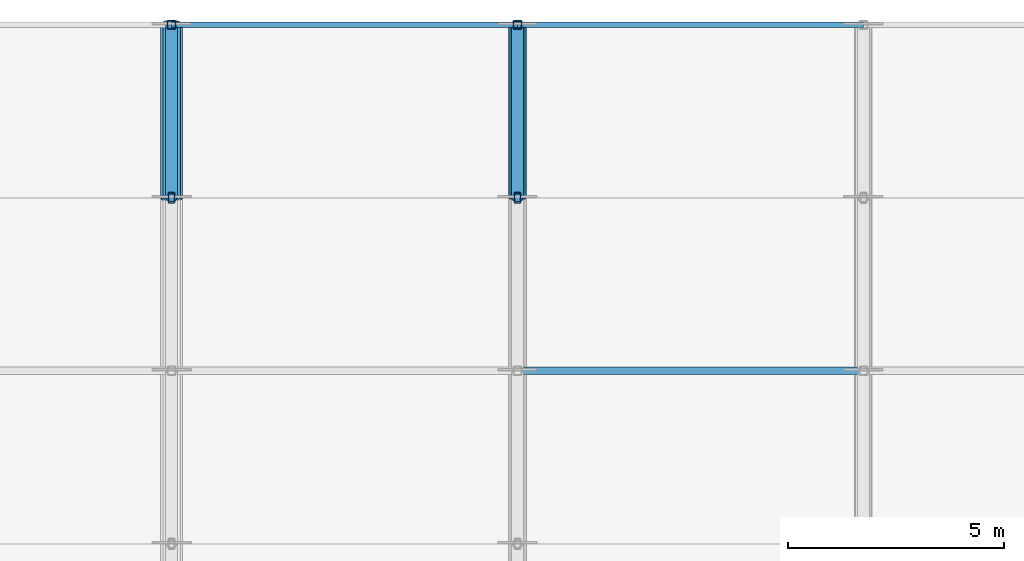
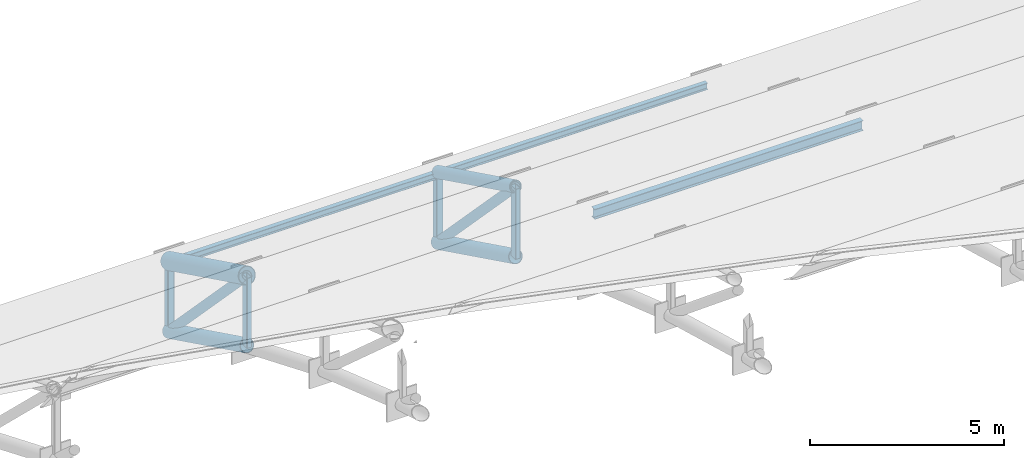
# One storey, part 22 of 98: 13 members.
"""IFC4 building model written with IfcOpenShell, lengths in metres."""

from ifc_helpers import new_model, si_unit, direction, frame, origin, origin_2d, place, context, subcontext, project, spatial, hollow_rectangle, hollow_circle, i_section, extrude, material, material_profile, profile_set, type_object, element, save


model = new_model("IFC4")

# Units and contexts
model_context = context("Model", 3, precision=1e-05, world=origin(), true_north=direction((0.0, 1.0)))
body_context = subcontext(model_context, "Body", "Model", "MODEL_VIEW")
ifc_project = project(units=[si_unit("LENGTHUNIT", "METRE"), si_unit("AREAUNIT", "SQUARE_METRE"), si_unit("VOLUMEUNIT", "CUBIC_METRE"), si_unit("PLANEANGLEUNIT", "RADIAN"), si_unit("MASSUNIT", "GRAM", prefix="KILO")], contexts=[model_context])

# Site, building, storey
site_placement = place(None, origin())
site = spatial("IfcSite", under=ifc_project, at=site_placement, CompositionType="ELEMENT")
building_placement = place(site_placement, origin())
building = spatial("IfcBuilding", under=site, at=building_placement, Name="Tlacozan Convention Centre", CompositionType="ELEMENT")
storey_placement = place(building_placement, frame((0.0, 0.0, 25.800048828125)))
storey = spatial("IfcBuildingStorey", under=building, at=storey_placement, Name="Roof", CompositionType="ELEMENT", Elevation=25.800048828125)

# Members
ifc_material_1 = material(Name="Steel ASTM A500 Grade C", Category="steel")
ifc_material_profile_1 = material_profile(ifc_material_1, hollow_circle(Radius=0.203125, WallThickness=0.015869140625, at=origin_2d()), Name="OC 406.4x15.9")
ifc_profile_set_1 = profile_set([ifc_material_profile_1], Name="Steel ASTM A500 Grade C")
member_type_1 = type_object("IfcMemberType", Name="Arch Bottom Chord OC 406.4x15.9", PredefinedType="CHORD", material=ifc_profile_set_1)
for number, where, z_axis, x_axis, name in (
    (1, (48.0, 122.0, -10.832275390625), (0.0, 0.897300183135, -0.441420866459), (-1.0, 0.0, 0.0), "V2A Roof Truss 7 Bottom Chord 16"),
    (2, (56.0, 122.0, -10.832275390625), (0.0, 0.897300183135, -0.441420866459), (-1.0, 0.0, 0.0), "V2A Roof Truss 8 Bottom Chord 16"),
):
    element("IfcMember", number, at=place(storey_placement, frame(where, z_axis=z_axis, x_axis=x_axis)), inside=storey, type_object=member_type_1, Name=name, PredefinedType="CHORD", context=body_context, shape_type="SweptSolid", body=[
        extrude(hollow_circle(Radius=0.203125, WallThickness=0.015869140625, at=origin_2d()), origin(), (0.0, 0.0, 1.0), 4.457763671875),
    ])
ifc_material_profile_2 = material_profile(ifc_material_1, hollow_circle(Radius=0.25390625, WallThickness=0.01904296875, at=origin_2d()), Name="OC 508.0x19.1")
ifc_profile_set_2 = profile_set([ifc_material_profile_2], Name="Steel ASTM A500 Grade C")
member_type_2 = type_object("IfcMemberType", Name="Arch Top Chord OC 508x19.1", PredefinedType="CHORD", material=ifc_profile_set_2)
member_1_placement = place(storey_placement, frame((48.0, 122.0, -8.63232421875), z_axis=(0.0, 0.897300183135, -0.441420866459), x_axis=(-1.0, 0.0, 0.0)))
element("IfcMember", 3, at=member_1_placement, inside=storey, type_object=member_type_2, Name="V2A Roof Truss 7 Top Chord 16", PredefinedType="CHORD", context=body_context, shape_type="SweptSolid", body=[
    extrude(hollow_circle(Radius=0.25390625, WallThickness=0.01904296875, at=origin_2d()), origin(), (0.0, 0.0, 1.0), 4.457763671875),
])
ifc_material_profile_3 = material_profile(ifc_material_1, hollow_circle(Radius=0.136474609375, WallThickness=0.0126953125, at=origin_2d()), Name="OC 273.1x12.7")
ifc_profile_set_3 = profile_set([ifc_material_profile_3], Name="Steel ASTM A500 Grade C")
member_type_3 = type_object("IfcMemberType", Name="Arch Web Diagonal OC 273.1x12.7", PredefinedType="BRACE", material=ifc_profile_set_3)
for number, where, z_axis, x_axis, name in (
    (4, (48.0, 122.0, -8.63232421875), (0.0, 0.69244032859, -0.721475149497), (-1.0, 0.0, 0.0), "V2A Roof Truss 7 Web Diagonal 16"),
    (5, (56.0, 122.0, -8.63232421875), (0.0, 0.69244032859, -0.721475149497), (-1.0, 0.0, 0.0), "V2A Roof Truss 8 Web Diagonal 16"),
):
    element("IfcMember", number, at=place(storey_placement, frame(where, z_axis=z_axis, x_axis=x_axis)), inside=storey, type_object=member_type_3, Name=name, PredefinedType="BRACE", context=body_context, shape_type="SweptSolid", body=[
        extrude(hollow_circle(Radius=0.136474609375, WallThickness=0.0126953125, at=origin_2d()), origin(), (0.0, 0.0, 1.0), 5.776611328125),
    ])
ifc_material_profile_4 = material_profile(ifc_material_1, hollow_rectangle(XDim=0.203125, YDim=0.203125, WallThickness=0.0126953125, InnerFilletRadius=0.0126953125, OuterFilletRadius=0.02490234375, at=origin_2d()), Name="OR 203x203x12.7")
ifc_profile_set_4 = profile_set([ifc_material_profile_4], Name="Steel ASTM A500 Grade C")
member_type_4 = type_object("IfcMemberType", Name="Arch Web Strut OR 203x203x12.7", PredefinedType="STRUT", material=ifc_profile_set_4)
for number, where, z_axis, x_axis, name in (
    (6, (48.0, 126.0, -12.800048828125), (0.0, 0.0, 1.0), (1.0, 0.0, 0.0), "V2A Roof Truss 7 Vertical Strut 17"),
    (7, (56.0, 126.0, -12.800048828125), (0.0, 0.0, 1.0), (1.0, 0.0, 0.0), "V2A Roof Truss 8 Vertical Strut 17"),
):
    element("IfcMember", number, at=place(storey_placement, frame(where, z_axis=z_axis, x_axis=x_axis)), inside=storey, type_object=member_type_4, Name=name, PredefinedType="STRUT", context=body_context, shape_type="SweptSolid", body=[
        extrude(hollow_rectangle(XDim=0.203125, YDim=0.203125, WallThickness=0.0126953125, InnerFilletRadius=0.0126953125, OuterFilletRadius=0.02490234375, at=origin_2d()), origin(), (0.0, 0.0, 1.0), 2.199951171875),
    ])
ifc_material_2 = material(Name="Steel ASTM A992 Grade 50", Category="steel")
ifc_material_profile_5 = material_profile(ifc_material_2, i_section(OverallWidth=0.1669921875, OverallDepth=0.31689453125, WebThickness=0.007568359375, FlangeThickness=0.01318359375, FilletRadius=0.010009765625, at=origin_2d()), Name="IR 305x52.2")
ifc_profile_set_5 = profile_set([ifc_material_profile_5], Name="Steel ASTM A992 Grade 50")
member_type_5 = type_object("IfcMemberType", Name="Roof Purlin IR 305x52.2", PredefinedType="PURLIN", material=ifc_profile_set_5)
member_2_placement = place(storey_placement, frame((56.0, 118.0, -7.041259765625), z_axis=(1.0, 0.0, 0.0), x_axis=(0.0, 1.0, 0.0)))
element("IfcMember", 8, at=member_2_placement, inside=storey, type_object=member_type_5, Name="V2A Roof Truss Purlin 8.15", PredefinedType="PURLIN", context=body_context, shape_type="SweptSolid", body=[
    extrude(i_section(OverallWidth=0.1669921875, OverallDepth=0.31689453125, WebThickness=0.007568359375, FlangeThickness=0.01318359375, FilletRadius=0.010009765625, at=origin_2d()), origin(), (0.0, 0.0, 1.0), 8.0),
])
ifc_material_profile_6 = material_profile(ifc_material_1, hollow_circle(Radius=0.177734375, WallThickness=0.015869140625, at=origin_2d()), Name="OC 355.6x15.9")
ifc_profile_set_6 = profile_set([ifc_material_profile_6], Name="Steel ASTM A500 Grade C")
member_type_6 = type_object("IfcMemberType", Name="Secondary Arch Chord OC 355.6x15.9", PredefinedType="CHORD", material=ifc_profile_set_6)
member_3_placement = place(storey_placement, frame((56.0, 122.0, -8.63232421875), z_axis=(0.0, 0.897300183135, -0.441420866459), x_axis=(-1.0, 0.0, 0.0)))
element("IfcMember", 9, at=member_3_placement, inside=storey, type_object=member_type_6, Name="V2A Roof Truss 8 Top Chord 16", PredefinedType="CHORD", context=body_context, shape_type="SweptSolid", body=[
    extrude(hollow_circle(Radius=0.177734375, WallThickness=0.015869140625, at=origin_2d()), origin(), (0.0, 0.0, 1.0), 4.457763671875),
])
ifc_material_profile_7 = material_profile(ifc_material_2, i_section(OverallWidth=0.134033203125, OverallDepth=0.2099609375, WebThickness=0.00634765625, FlangeThickness=0.01025390625, FilletRadius=0.008056640625, at=origin_2d()), Name="IR 203x31.3")
ifc_profile_set_7 = profile_set([ifc_material_profile_7], Name="Steel ASTM A992 Grade 50")
member_type_7 = type_object("IfcMemberType", Name="Secondary Eave Purlin IR 203x31.3", PredefinedType="PURLIN", material=ifc_profile_set_7)
for number, where, z_axis, x_axis, name in (
    (10, (48.0, 126.0, -10.6650390625), (1.0, 0.0, 0.0), (0.0, 1.0, 0.0), "V2A Roof Truss Purlin 7.17"),
    (11, (56.0, 126.0, -10.6650390625), (1.0, 0.0, 0.0), (0.0, 1.0, 0.0), "V2A Roof Truss Purlin 8.17"),
):
    element("IfcMember", number, at=place(storey_placement, frame(where, z_axis=z_axis, x_axis=x_axis)), inside=storey, type_object=member_type_7, Name=name, PredefinedType="PURLIN", context=body_context, shape_type="SweptSolid", body=[
        extrude(i_section(OverallWidth=0.134033203125, OverallDepth=0.2099609375, WebThickness=0.00634765625, FlangeThickness=0.01025390625, FilletRadius=0.008056640625, at=origin_2d()), origin(), (0.0, 0.0, 1.0), 8.0),
    ])
ifc_material_profile_8 = material_profile(ifc_material_1, hollow_rectangle(XDim=0.15234375, YDim=0.25390625, WallThickness=0.0126953125, InnerFilletRadius=0.0126953125, OuterFilletRadius=0.02490234375, at=origin_2d()), Name="OR 254x152x12.7")
ifc_profile_set_8 = profile_set([ifc_material_profile_8], Name="Steel ASTM A500 Grade C")
member_type_8 = type_object("IfcMemberType", Name="Truss Secondary Strut OR 254x152x12.7", PredefinedType="STRUT", material=ifc_profile_set_8)
for number, where, z_axis, x_axis, name in (
    (12, (48.0, 122.0, -10.832275390625), (0.0, 0.0, 1.0), (1.0, 0.0, 0.0), "V2A Roof Truss 7 Vertical Strut 16"),
    (13, (56.0, 122.0, -10.832275390625), (0.0, 0.0, 1.0), (1.0, 0.0, 0.0), "V2A Roof Truss 8 Vertical Strut 16"),
):
    element("IfcMember", number, at=place(storey_placement, frame(where, z_axis=z_axis, x_axis=x_axis)), inside=storey, type_object=member_type_8, Name=name, PredefinedType="STRUT", context=body_context, shape_type="SweptSolid", body=[
        extrude(hollow_rectangle(XDim=0.15234375, YDim=0.25390625, WallThickness=0.0126953125, InnerFilletRadius=0.0126953125, OuterFilletRadius=0.02490234375, at=origin_2d()), origin(), (0.0, 0.0, 1.0), 2.199951171875),
    ])

save(model, "model.ifc")
